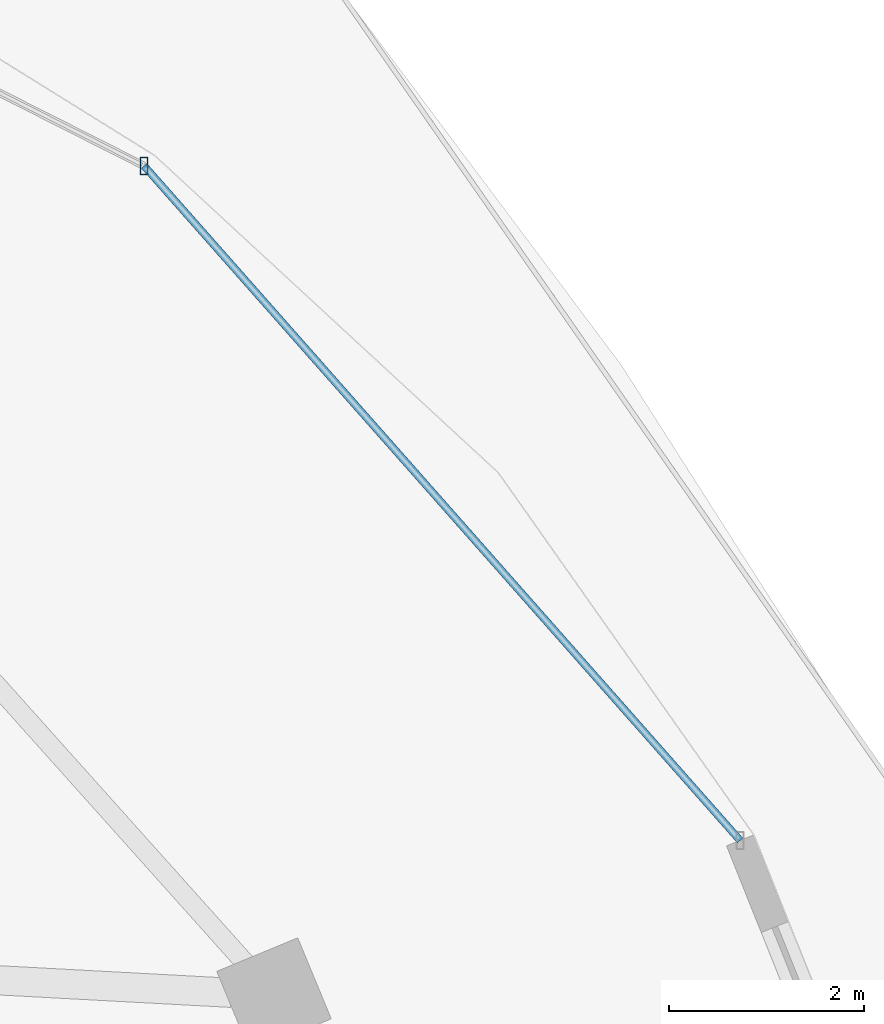
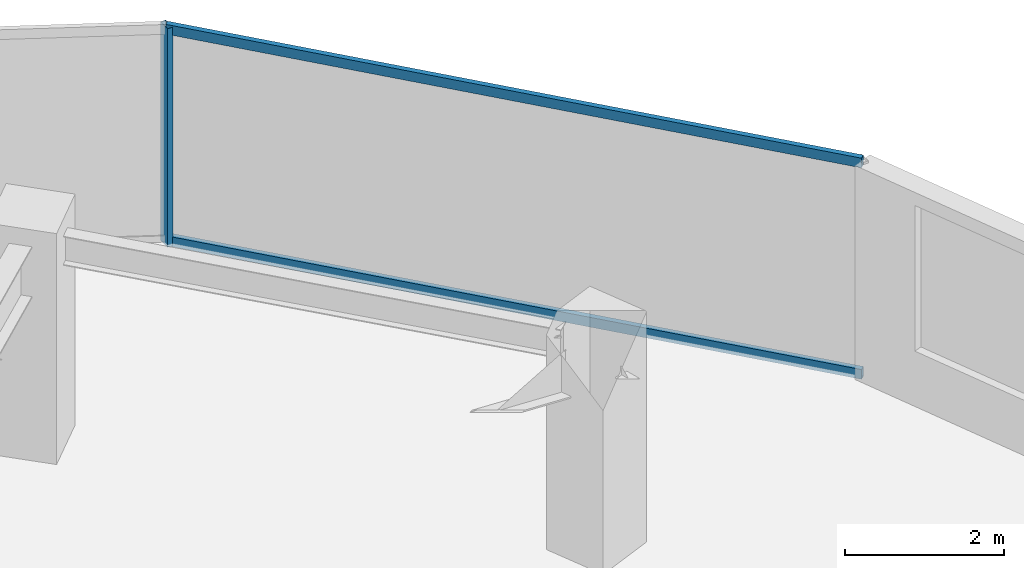
# One storey, part 22 of 33: 3 members, 1 element without a shape of its own.
"""IFC4 building model written with IfcOpenShell, lengths in metres."""

from ifc_helpers import new_model, si_unit, direction, frame, origin, origin_2d, place, context, subcontext, project, spatial, hollow_rectangle, extrude, material, material_profile, profile_set, type_object, element, aggregate, save


model = new_model("IFC4")

# Units and contexts
model_context = context("Model", 3, precision=1e-05, world=origin(), true_north=direction((0.0, 1.0)))
body_context = subcontext(model_context, "Body", "Model", "MODEL_VIEW")
ifc_project = project(units=[si_unit("LENGTHUNIT", "METRE"), si_unit("AREAUNIT", "SQUARE_METRE"), si_unit("VOLUMEUNIT", "CUBIC_METRE"), si_unit("PLANEANGLEUNIT", "RADIAN"), si_unit("MASSUNIT", "GRAM", prefix="KILO")], contexts=[model_context])

# Site, building, storey
site_placement = place(None, origin())
site = spatial("IfcSite", under=ifc_project, at=site_placement, CompositionType="ELEMENT")
building_placement = place(site_placement, origin())
building = spatial("IfcBuilding", under=site, at=building_placement, Name="Vorneva Point Tower", CompositionType="ELEMENT")
storey_placement = place(building_placement, frame((0.0, 0.0, 200.10009765625)))
storey = spatial("IfcBuildingStorey", under=building, at=storey_placement, Name="L54", CompositionType="ELEMENT", Elevation=200.10009765625)

# Curtain wall, members
ifc_material = material(Name="Pale anodised aluminium", Category="aluminium")
curtain_wall_type = type_object("IfcCurtainWallType", Name="CW-RES-SYS", PredefinedType="NOTDEFINED", material=ifc_material)
curtain_wall_placement = place(storey_placement, origin())
curtain_wall = element("IfcCurtainWall", 1, at=curtain_wall_placement, inside=storey, type_object=curtain_wall_type, Name="L54 Unitised Curtain Wall CW-L54-R01", PredefinedType="NOTDEFINED")
ifc_material_profile_1 = material_profile(ifc_material, hollow_rectangle(XDim=0.074951171875, YDim=0.179931640625, WallThickness=0.00390625, at=origin_2d()), Name="AL-MUL 180x75x4")
ifc_profile_set_1 = profile_set([ifc_material_profile_1], Name="Pale anodised aluminium")
member_type_1 = type_object("IfcMemberType", Name="CW-MUL-180", PredefinedType="MULLION", material=ifc_profile_set_1)
member_1_placement = place(storey_placement, frame((57.961669921875, 41.0966796875, -0.0400390625), z_axis=(0.0, 0.0, 1.0), x_axis=(1.0, 0.0, 0.0)))
member_1 = element("IfcMember", 2, at=member_1_placement, type_object=member_type_1, Name="CW-L54-R01 Mullion 02", PredefinedType="MULLION", context=body_context, shape_type="SweptSolid", body=[
    extrude(hollow_rectangle(XDim=0.074951171875, YDim=0.179931640625, WallThickness=0.00390625, at=origin_2d()), origin(), (0.0, 0.0, 1.0), 3.35986328125),
])
ifc_material_profile_2 = material_profile(ifc_material, hollow_rectangle(XDim=0.074951171875, YDim=0.14990234375, WallThickness=0.00390625, at=origin_2d()), Name="AL-TRN 150x75x4")
ifc_profile_set_2 = profile_set([ifc_material_profile_2], Name="Pale anodised aluminium")
member_type_2 = type_object("IfcMemberType", Name="CW-TRN-150", PredefinedType="USERDEFINED", material=ifc_profile_set_2)
member_2_placement = place(storey_placement, frame((64.0810546875, 34.17041015625, 0.02001953125), z_axis=(-0.662106383869, 0.749409858782, 0.0), x_axis=(-0.749409858782, -0.662106383869, 0.0)))
member_2 = element("IfcMember", 3, at=member_2_placement, type_object=member_type_2, Name="CW-L54-R01 Transom 01.1", ObjectType="TRANSOM", PredefinedType="USERDEFINED", context=body_context, shape_type="SweptSolid", body=[
    extrude(hollow_rectangle(XDim=0.074951171875, YDim=0.14990234375, WallThickness=0.00390625, at=origin_2d()), origin(), (0.0, 0.0, 1.0), 9.2421875),
])
member_3_placement = place(storey_placement, frame((64.0810546875, 34.17041015625, 3.27001953125), z_axis=(-0.662106383869, 0.749409858782, 0.0), x_axis=(-0.749409858782, -0.662106383869, 0.0)))
member_3 = element("IfcMember", 4, at=member_3_placement, type_object=member_type_2, Name="CW-L54-R01 Transom 01.2", ObjectType="TRANSOM", PredefinedType="USERDEFINED", context=body_context, shape_type="SweptSolid", body=[
    extrude(hollow_rectangle(XDim=0.074951171875, YDim=0.14990234375, WallThickness=0.00390625, at=origin_2d()), origin(), (0.0, 0.0, 1.0), 9.2421875),
])
aggregate(curtain_wall, [member_1, member_2, member_3])

save(model, "model.ifc")
